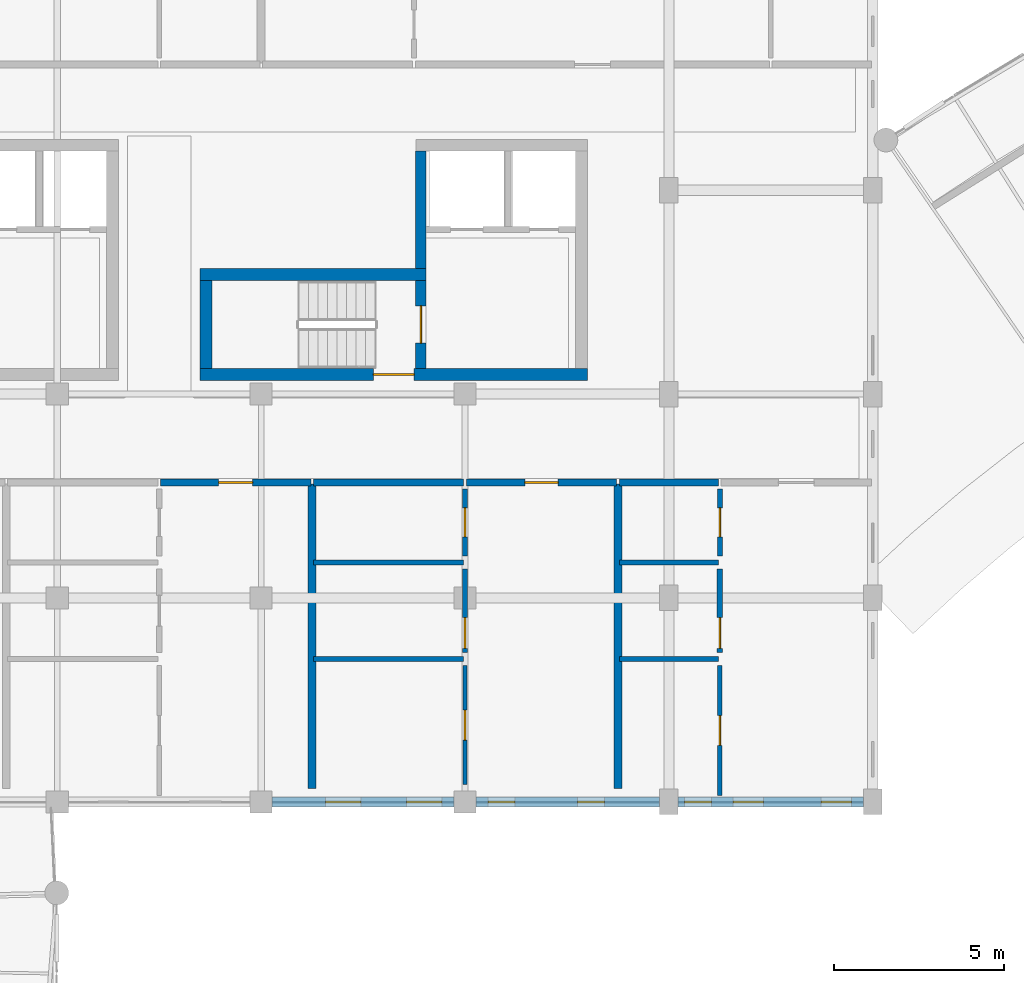
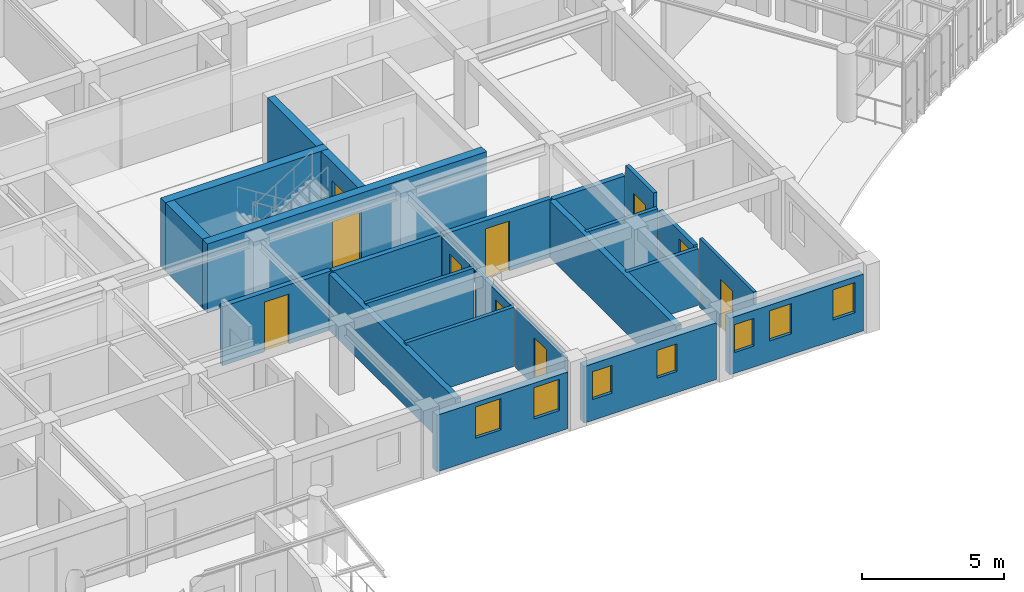
# One storey, part 70 of 100: 24 walls, 10 doors, 7 windows, 17 openings.
"""IFC4 building model written with IfcOpenShell, lengths in metres."""

import ifcopenshell
import ifcopenshell.guid

model = None  # the IFC model being written
_history = None  # IfcOwnerHistory: only IFC2X3 demands one
_inside = {}  # id of a spatial element -> (the spatial element, [elements in it])
_under = {}  # id of a project, library or spatial element -> (it, [spatial elements below it])
_declared = {}  # id of a project -> (the project, [libraries it declares])
_typed = {}  # id of a type object -> (the type object, [elements of that type])
_made_of = {}  # id of a material, layer set ... -> (it, [elements and type objects made of it])


def new_model(schema):
    """Start an empty IFC model of exactly this schema.

    Asked for "IFC4X3", IfcOpenShell would pick the latest addendum, in which some entities
    have other attributes; the version numbers below select the first issue.
    IFC2X3 requires an IfcOwnerHistory on every rooted entity: one is made here for all.
    """
    global model, _history
    if schema == "IFC4X3":
        model = ifcopenshell.file(schema_version=(4, 3, 0, 0))
    else:
        model = ifcopenshell.file(schema=schema)
    _inside.clear()
    _under.clear()
    _declared.clear()
    _typed.clear()
    _made_of.clear()
    _history = None
    if model.schema == "IFC2X3":
        org = make("IfcOrganization", Name="unknown")
        user = make(
            "IfcPersonAndOrganization",
            ThePerson=make("IfcPerson", FamilyName="unknown"),
            TheOrganization=org,
        )
        app = make(
            "IfcApplication",
            ApplicationDeveloper=org,
            Version="unknown",
            ApplicationFullName="unknown",
            ApplicationIdentifier="unknown",
        )
        _history = make(
            "IfcOwnerHistory",
            OwningUser=user,
            OwningApplication=app,
            ChangeAction="ADDED",
            CreationDate=0,
        )
    return model


def make(cls, **values):
    """One entity of the class cls with the attributes given. An attribute that is None is left unset."""
    return model.create_entity(
        cls, **{name: value for name, value in values.items() if value is not None}
    )


def rooted(cls, **values):
    """An entity with a GlobalId (a new one), such as an element, a storey or a relation."""
    return make(cls, GlobalId=ifcopenshell.guid.new(), OwnerHistory=_history, **values)


def si_unit(unit_type, name, prefix=None):
    """IfcSIUnit, for example si_unit("LENGTHUNIT", "METRE", prefix="MILLI")."""
    return make("IfcSIUnit", UnitType=unit_type, Prefix=prefix, Name=name)


def assignment(units):
    """IfcUnitAssignment: the units of a project."""
    return None if units is None else make("IfcUnitAssignment", Units=units)


def point(xyz):
    """IfcCartesianPoint."""
    return None if xyz is None else make("IfcCartesianPoint", Coordinates=xyz)


def direction(xyz):
    """IfcDirection."""
    return None if xyz is None else make("IfcDirection", DirectionRatios=xyz)


def frame(location, z_axis=None, x_axis=None):
    """IfcAxis2Placement3D, a coordinate frame: its origin and axes. An axis left out is left unset."""
    return make(
        "IfcAxis2Placement3D",
        Location=point(location),
        Axis=direction(z_axis),
        RefDirection=direction(x_axis),
    )


def frame_2d(location, x_axis=None):
    """IfcAxis2Placement2D, a coordinate frame in the plane: its origin and x axis."""
    return make(
        "IfcAxis2Placement2D", Location=point(location), RefDirection=direction(x_axis)
    )


def origin():
    """The frame at (0, 0, 0) with its axes left unset."""
    return frame((0.0, 0.0, 0.0))


def place(relative_to, where):
    """IfcLocalPlacement: puts the frame where relative to a parent placement (None: the world)."""
    return make(
        "IfcLocalPlacement", PlacementRelTo=relative_to, RelativePlacement=where
    )


def context(
    kind, dimensions, precision=None, world=None, true_north=None, identifier=None
):
    """IfcGeometricRepresentationContext, for example the 3D "Model" context."""
    return make(
        "IfcGeometricRepresentationContext",
        ContextIdentifier=identifier,
        ContextType=kind,
        CoordinateSpaceDimension=dimensions,
        Precision=precision,
        WorldCoordinateSystem=world,
        TrueNorth=true_north,
    )


def subcontext(parent, identifier, kind, view, scale=None):
    """IfcGeometricRepresentationSubContext, for example "Body" below "Model"."""
    return make(
        "IfcGeometricRepresentationSubContext",
        ContextIdentifier=identifier,
        ContextType=kind,
        ParentContext=parent,
        TargetScale=scale,
        TargetView=view,
    )


def project(units=None, contexts=None):
    """IfcProject with its units and contexts."""
    return rooted(
        "IfcProject",
        Name="project",
        RepresentationContexts=contexts,
        UnitsInContext=assignment(units),
    )


def spatial(cls, under=None, at=None, **own):
    """A site, building, storey or space (cls), placed at a placement, below another one or the project."""
    s = rooted(cls, ObjectPlacement=at, **own)
    if under is not None:
        _under.setdefault(under.id(), (under, []))[1].append(s)
    return s


def profile(cls, at=None, kind="AREA", **sizes):
    """A parametric profile (cls). Its sizes go by their IFC names, for example OverallWidth=200.0."""
    return make(cls, ProfileType=kind, Position=at, **sizes)


def rectangle(**sizes):
    """IfcRectangleProfileDef."""
    return profile("IfcRectangleProfileDef", **sizes)


def extrude(swept, where, along, depth):
    """IfcExtrudedAreaSolid: the profile swept, set in the frame where, extruded along a direction by depth."""
    return make(
        "IfcExtrudedAreaSolid",
        SweptArea=swept,
        Position=where,
        ExtrudedDirection=direction(along),
        Depth=depth,
    )


def shape(context_of_items, identifier, shape_type, items):
    """IfcShapeRepresentation: the items that make up one representation, for example the "Body"."""
    return make(
        "IfcShapeRepresentation",
        ContextOfItems=context_of_items,
        RepresentationIdentifier=identifier,
        RepresentationType=shape_type,
        Items=items,
    )


def material(Name=None, Category=None):
    """IfcMaterial."""
    return make("IfcMaterial", Name=Name, Category=Category)


def layer(
    of_material, thickness, ventilated=None, Name=None, Category=None, Priority=None
):
    """IfcMaterialLayer: one layer of a wall or slab, of a material (None: an air gap)."""
    return make(
        "IfcMaterialLayer",
        Material=of_material,
        LayerThickness=thickness,
        IsVentilated=ventilated,
        Name=Name,
        Category=Category,
        Priority=Priority,
    )


def layer_set(layers, Name=None):
    """IfcMaterialLayerSet."""
    return make("IfcMaterialLayerSet", MaterialLayers=layers, LayerSetName=Name)


def made_of(thing, what):
    """Note that an element or type object is made of a material, layer set ...; save() writes the relation."""
    if what is not None:
        _made_of.setdefault(what.id(), (what, []))[1].append(thing)
    return thing


def type_object(cls, material=None, **own):
    """A type object (cls), such as IfcWallType, which elements share."""
    return made_of(rooted(cls, **own), material)


def element(
    cls,
    number,
    at=None,
    inside=None,
    cuts=None,
    type_object=None,
    material=None,
    context=None,
    identifier="Body",
    shape_type=None,
    held_by="IfcProductDefinitionShape",
    body=None,
    shapes=None,
    **own,
):
    """One element of the class cls, such as IfcWall. Its Tag is "e" and its number.

    at: its placement. inside: the storey or other place that contains it. cuts: it is an
    opening in that element (IfcRelVoidsElement). A single representation is given by context,
    identifier, shape_type and body (its items); several are given by shapes. held_by: the class
    of the entity that holds the representations. save() writes the other relations.
    """
    e = rooted(cls, Tag="e%d" % number, ObjectPlacement=at, **own)
    if body is not None:
        shapes = [shape(context, identifier, shape_type, body)]
    if shapes is not None:
        e.Representation = make(held_by, Representations=shapes)
    if inside is not None:
        _inside.setdefault(inside.id(), (inside, []))[1].append(e)
    if cuts is not None:
        rooted(
            "IfcRelVoidsElement", RelatingBuildingElement=cuts, RelatedOpeningElement=e
        )
    if type_object is not None:
        _typed.setdefault(type_object.id(), (type_object, []))[1].append(e)
    return made_of(e, material)


def fill(opening, filler):
    """IfcRelFillsElement: the door or window that sits in an opening."""
    return rooted(
        "IfcRelFillsElement",
        RelatingOpeningElement=opening,
        RelatedBuildingElement=filler,
    )


def aggregate(whole, parts):
    """IfcRelAggregates: a whole, such as a stair, and the parts it consists of."""
    return rooted("IfcRelAggregates", RelatingObject=whole, RelatedObjects=parts)


def save(model, path):
    """Write the relations noted so far, then the file.

    IfcRelAggregates (storeys below a building ...), IfcRelContainedInSpatialStructure (elements
    in a storey), IfcRelDefinesByType, IfcRelAssociatesMaterial and IfcRelDeclares: one each for
    every whole, place, type object, material and project.
    """
    for whole, parts in _under.values():
        aggregate(whole, parts)
    for where, things in _inside.values():
        rooted(
            "IfcRelContainedInSpatialStructure",
            RelatedElements=things,
            RelatingStructure=where,
        )
    for kind, things in _typed.values():
        rooted("IfcRelDefinesByType", RelatedObjects=things, RelatingType=kind)
    for what, things in _made_of.values():
        rooted("IfcRelAssociatesMaterial", RelatedObjects=things, RelatingMaterial=what)
    for by, libraries in _declared.values():
        rooted("IfcRelDeclares", RelatingContext=by, RelatedDefinitions=libraries)
    model.write(path)


model = new_model("IFC4")

# Units and contexts
model_context = context("Model", 3, precision=1e-05, world=origin(), true_north=direction((0.0, 1.0)))
body_context = subcontext(model_context, "Body", "Model", "MODEL_VIEW")
ifc_project = project(units=[si_unit("LENGTHUNIT", "METRE"), si_unit("AREAUNIT", "SQUARE_METRE"), si_unit("VOLUMEUNIT", "CUBIC_METRE"), si_unit("PLANEANGLEUNIT", "RADIAN"), si_unit("MASSUNIT", "GRAM", prefix="KILO"), si_unit("POWERUNIT", "WATT"), si_unit("THERMODYNAMICTEMPERATUREUNIT", "KELVIN")], contexts=[model_context])

# Site, building, storey
site_placement = place(None, origin())
site = spatial("IfcSite", under=ifc_project, at=site_placement, CompositionType="ELEMENT")
building_placement = place(site_placement, origin())
building = spatial("IfcBuilding", under=site, at=building_placement, Name="Ruvembo Vaulted Housing Court", CompositionType="ELEMENT")
storey_placement = place(building_placement, frame((0.0, 0.0, 10.89990234375)))
storey = spatial("IfcBuildingStorey", under=building, at=storey_placement, Name="L03", CompositionType="ELEMENT", Elevation=10.89990234375)

# Wall, opening, door
ifc_material_1 = material(Name="Concrete C35/45", Category="concrete")
ifc_layer_1 = layer(ifc_material_1, 0.300048828125, Name="Concrete C35/45")
ifc_layer_set_1 = layer_set([ifc_layer_1], Name="Concrete C35/45")
wall_type_1 = type_object("IfcWallType", Name="WL-CORE-300", PredefinedType="SHEAR", material=ifc_layer_set_1)
wall_1_placement = place(storey_placement, frame((70.699951171875, 90.75, 0.0), z_axis=(0.0, 0.0, 1.0), x_axis=(0.0, 1.0, 0.0)))
wall_1 = element("IfcWall", 1, at=wall_1_placement, inside=storey, type_object=wall_type_1, Name="Core B2 L03 Stair-Lobby Shear Wall", PredefinedType="SHEAR", context=body_context, shape_type="SweptSolid", body=[
    extrude(rectangle(XDim=2.60009765625, YDim=0.300048828125, at=frame_2d((1.300048828125, 0.0))), origin(), (0.0, 0.0, 1.0), 2.960205078125),
])
opening_1_placement = place(wall_1_placement, frame((0.75, 0.0, 0.0)))
opening_1 = element("IfcOpeningElement", 2, at=opening_1_placement, cuts=wall_1, Name="Opening SD2", PredefinedType="OPENING", context=body_context, shape_type="SweptSolid", body=[
    extrude(rectangle(XDim=1.10009765625, YDim=2.14990234375, at=frame_2d((0.550048828125, 1.074951171875))), frame((0.0, 0.159912109375, 0.0), z_axis=(0.0, -1.0, 0.0), x_axis=(1.0, 0.0, 0.0)), (0.0, 0.0, 1.0), 0.320068359375),
])
ifc_material_2 = material(Name="Galvanised Painted Steel", Category="steel")
door_type_1 = type_object("IfcDoorType", Name="DR-STAIR-1100x2150", OperationType="NOTDEFINED", PredefinedType="DOOR", material=ifc_material_2)
door_1_placement = place(opening_1_placement, origin())
door_1 = element("IfcDoor", 3, at=door_1_placement, inside=storey, type_object=door_type_1, Name="Stair ST-B2 L03 Fire Door", OperationType="SINGLE_SWING_LEFT", OverallHeight=2.14990234375, OverallWidth=1.10009765625, PredefinedType="DOOR", context=body_context, shape_type="SweptSolid", body=[
    extrude(rectangle(XDim=1.10009765625, YDim=2.14990234375, at=frame_2d((0.550048828125, 1.074951171875))), frame((0.0, 0.02490234375, 0.0), z_axis=(0.0, -1.0, 0.0), x_axis=(1.0, 0.0, 0.0)), (0.0, 0.0, 1.0), 0.050048828125),
])
fill(opening_1, door_1)

# Wall
wall_2_placement = place(storey_placement, frame((70.699951171875, 93.699951171875, 0.0), z_axis=(0.0, 0.0, 1.0), x_axis=(0.0, 1.0, 0.0)))
element("IfcWall", 4, at=wall_2_placement, inside=storey, type_object=wall_type_1, Name="Core B2 L03 Upper West Shear Wall", PredefinedType="SHEAR", context=body_context, shape_type="SweptSolid", body=[
    extrude(rectangle(XDim=3.449951171875, YDim=0.300048828125, at=frame_2d((1.72509765625, 0.0))), origin(), (0.0, 0.0, 1.0), 2.960205078125),
])

# Wall, opening, door
ifc_layer_2 = layer(ifc_material_1, 0.35009765625, Name="Concrete C35/45")
ifc_layer_set_2 = layer_set([ifc_layer_2], Name="Concrete C35/45")
wall_type_2 = type_object("IfcWallType", Name="WL-CORE-350", PredefinedType="SHEAR", material=ifc_layer_set_2)
wall_3_placement = place(storey_placement, frame((64.199951171875, 90.574951171875, 0.0), z_axis=(0.0, 0.0, 1.0), x_axis=(1.0, 0.0, 0.0)))
wall_3 = element("IfcWall", 5, at=wall_3_placement, inside=storey, type_object=wall_type_2, Name="Core B2 L03 South Shear Wall", PredefinedType="SHEAR", context=body_context, shape_type="SweptSolid", body=[
    extrude(rectangle(XDim=11.400146484375, YDim=0.35009765625, at=frame_2d((5.7001953125, 0.0))), origin(), (0.0, 0.0, 1.0), 2.960205078125),
])
opening_2_placement = place(wall_3_placement, frame((5.10009765625, 0.0, 0.0)))
opening_2 = element("IfcOpeningElement", 6, at=opening_2_placement, cuts=wall_3, Name="Opening LD3", PredefinedType="OPENING", context=body_context, shape_type="SweptSolid", body=[
    extrude(rectangle(XDim=1.199951171875, YDim=2.14990234375, at=frame_2d((0.60009765625, 1.074951171875))), frame((0.0, 0.18505859375, 0.0), z_axis=(0.0, -1.0, 0.0), x_axis=(1.0, 0.0, 0.0)), (0.0, 0.0, 1.0), 0.3701171875),
])
door_type_2 = type_object("IfcDoorType", Name="DR-LOB-1200x2150", OperationType="NOTDEFINED", PredefinedType="DOOR", material=ifc_material_2)
door_2_placement = place(opening_2_placement, origin())
door_2 = element("IfcDoor", 7, at=door_2_placement, inside=storey, type_object=door_type_2, Name="Core B2 L03 Lobby Fire Door", OperationType="SINGLE_SWING_RIGHT", OverallHeight=2.14990234375, OverallWidth=1.199951171875, PredefinedType="DOOR", context=body_context, shape_type="SweptSolid", body=[
    extrude(rectangle(XDim=1.199951171875, YDim=2.14990234375, at=frame_2d((0.60009765625, 1.074951171875))), frame((0.0, 0.02490234375, 0.0), z_axis=(0.0, -1.0, 0.0), x_axis=(1.0, 0.0, 0.0)), (0.0, 0.0, 1.0), 0.050048828125),
])
fill(opening_2, door_2)

# Walls
wall_4_placement = place(storey_placement, frame((70.85009765625, 93.52490234375, 0.0), z_axis=(0.0, 0.0, 1.0), x_axis=(-1.0, 0.0, 0.0)))
element("IfcWall", 8, at=wall_4_placement, inside=storey, type_object=wall_type_2, Name="Core B2 L03 Stair North Shear Wall", PredefinedType="SHEAR", context=body_context, shape_type="SweptSolid", body=[
    extrude(rectangle(XDim=6.650146484375, YDim=0.35009765625, at=frame_2d((3.3251953125, 0.0))), origin(), (0.0, 0.0, 1.0), 2.960205078125),
])
wall_5_placement = place(storey_placement, frame((64.375, 93.35009765625, 0.0), z_axis=(0.0, 0.0, 1.0), x_axis=(0.0, -1.0, 0.0)))
element("IfcWall", 9, at=wall_5_placement, inside=storey, type_object=wall_type_2, Name="Core B2 L03 Stair West Shear Wall", PredefinedType="SHEAR", context=body_context, shape_type="SweptSolid", body=[
    extrude(rectangle(XDim=2.60009765625, YDim=0.35009765625, at=frame_2d((1.300048828125, 0.0))), origin(), (0.0, 0.0, 1.0), 2.960205078125),
])

# Wall, opening, door
ifc_material_3 = material(Name="Concrete Blockwork 200", Category="masonry")
ifc_layer_3 = layer(ifc_material_3, 0.199951171875, Name="Concrete Blockwork 200")
ifc_layer_set_3 = layer_set([ifc_layer_3], Name="Concrete Blockwork 200")
wall_type_3 = type_object("IfcWallType", Name="WL-CORR-200", PredefinedType="SOLIDWALL", material=ifc_layer_set_3)
wall_6_placement = place(storey_placement, frame((63.0400390625, 87.39990234375, 0.0), z_axis=(0.0, 0.0, 1.0), x_axis=(1.0, 0.0, 0.0)))
wall_6 = element("IfcWall", 10, at=wall_6_placement, inside=storey, type_object=wall_type_3, Name="L03 Flat B-L03-S2 Entrance WL-INT-L03-00835", PredefinedType="SOLIDWALL", context=body_context, shape_type="SweptSolid", body=[
    extrude(rectangle(XDim=4.419921875, YDim=0.199951171875, at=frame_2d((2.2099609375, 0.0))), origin(), (0.0, 0.0, 1.0), 2.548095703125),
])
opening_3_placement = place(wall_6_placement, frame((1.7099609375, 0.0, 0.0)))
opening_3 = element("IfcOpeningElement", 11, at=opening_3_placement, cuts=wall_6, Name="Opening FD1", PredefinedType="OPENING", context=body_context, shape_type="SweptSolid", body=[
    extrude(rectangle(XDim=1.0, YDim=2.14990234375, at=frame_2d((0.5, 1.074951171875))), frame((0.0, 0.10986328125, 0.0), z_axis=(0.0, -1.0, 0.0), x_axis=(1.0, 0.0, 0.0)), (0.0, 0.0, 1.0), 0.219970703125),
])
ifc_material_4 = material(Name="FSC Hardwood and Engineered Timber", Category="wood")
door_type_3 = type_object("IfcDoorType", Name="DR-FLAT-1000x2150", OperationType="NOTDEFINED", PredefinedType="DOOR", material=ifc_material_4)
door_3_placement = place(opening_3_placement, origin())
door_3 = element("IfcDoor", 12, at=door_3_placement, inside=storey, type_object=door_type_3, Name="L03 Flat B-L03-S2 Entrance Door DR-INT-L03-00462", OperationType="SINGLE_SWING_RIGHT", OverallHeight=2.14990234375, OverallWidth=1.0, PredefinedType="DOOR", context=body_context, shape_type="SweptSolid", body=[
    extrude(rectangle(XDim=1.0, YDim=2.14990234375, at=frame_2d((0.5, 1.074951171875))), frame((0.0, 0.02490234375, 0.0), z_axis=(0.0, -1.0, 0.0), x_axis=(1.0, 0.0, 0.0)), (0.0, 0.0, 1.0), 0.050048828125),
])
fill(opening_3, door_3)

# Wall
wall_7_placement = place(storey_placement, frame((67.5400390625, 87.39990234375, 0.0), z_axis=(0.0, 0.0, 1.0), x_axis=(1.0, 0.0, 0.0)))
element("IfcWall", 13, at=wall_7_placement, inside=storey, type_object=wall_type_3, Name="L03 Flat B-L03-S3 Corridor Wall WL-INT-L03-00842", PredefinedType="SOLIDWALL", context=body_context, shape_type="SweptSolid", body=[
    extrude(rectangle(XDim=4.419921875, YDim=0.199951171875, at=frame_2d((2.2099609375, 0.0))), origin(), (0.0, 0.0, 1.0), 2.508056640625),
])

# Wall, opening, door
wall_8_placement = place(storey_placement, frame((72.0400390625, 87.39990234375, 0.0), z_axis=(0.0, 0.0, 1.0), x_axis=(1.0, 0.0, 0.0)))
wall_8 = element("IfcWall", 14, at=wall_8_placement, inside=storey, type_object=wall_type_3, Name="L03 Flat B-L03-S3 Entrance WL-INT-L03-00843", PredefinedType="SOLIDWALL", context=body_context, shape_type="SweptSolid", body=[
    extrude(rectangle(XDim=4.419921875, YDim=0.199951171875, at=frame_2d((2.2099609375, 0.0))), origin(), (0.0, 0.0, 1.0), 2.508056640625),
])
opening_4_placement = place(wall_8_placement, frame((1.719970703125, 0.0, 0.0)))
opening_4 = element("IfcOpeningElement", 15, at=opening_4_placement, cuts=wall_8, Name="Opening FD2", PredefinedType="OPENING", context=body_context, shape_type="SweptSolid", body=[
    extrude(rectangle(XDim=0.97998046875, YDim=2.14990234375, at=frame_2d((0.489990234375, 1.074951171875))), frame((0.0, 0.10986328125, 0.0), z_axis=(0.0, -1.0, 0.0), x_axis=(1.0, 0.0, 0.0)), (0.0, 0.0, 1.0), 0.219970703125),
])
door_type_4 = type_object("IfcDoorType", Name="DR-FLAT-0980x2150", OperationType="NOTDEFINED", PredefinedType="DOOR", material=ifc_material_4)
door_4_placement = place(opening_4_placement, origin())
door_4 = element("IfcDoor", 16, at=door_4_placement, inside=storey, type_object=door_type_4, Name="L03 Flat B-L03-S3 Entrance Door DR-INT-L03-00466", OperationType="SINGLE_SWING_RIGHT", OverallHeight=2.14990234375, OverallWidth=0.97998046875, PredefinedType="DOOR", context=body_context, shape_type="SweptSolid", body=[
    extrude(rectangle(XDim=0.97998046875, YDim=2.14990234375, at=frame_2d((0.489990234375, 1.074951171875))), frame((0.0, 0.02490234375, 0.0), z_axis=(0.0, -1.0, 0.0), x_axis=(1.0, 0.0, 0.0)), (0.0, 0.0, 1.0), 0.050048828125),
])
fill(opening_4, door_4)

# Walls
wall_9_placement = place(storey_placement, frame((76.5400390625, 87.39990234375, 0.0), z_axis=(0.0, 0.0, 1.0), x_axis=(1.0, 0.0, 0.0)))
element("IfcWall", 17, at=wall_9_placement, inside=storey, type_object=wall_type_3, Name="L03 Flat B-L03-S4 Corridor Wall WL-INT-L03-00849", PredefinedType="SOLIDWALL", context=body_context, shape_type="SweptSolid", body=[
    extrude(rectangle(XDim=2.919921875, YDim=0.199951171875, at=frame_2d((1.4599609375, 0.0))), origin(), (0.0, 0.0, 1.0), 2.442138671875),
])
ifc_material_5 = material(Name="Acoustic Masonry Demising 230", Category="masonry")
ifc_layer_4 = layer(ifc_material_5, 0.22998046875, Name="Acoustic Masonry Demising 230")
ifc_layer_set_4 = layer_set([ifc_layer_4], Name="Acoustic Masonry Demising 230")
wall_type_4 = type_object("IfcWallType", Name="WL-DEM-230", PredefinedType="SOLIDWALL", material=ifc_layer_set_4)
for number, where, z_axis, x_axis, name in (
    (18, (67.5, 78.389892578125, 0.0), (0.0, 0.0, 1.0), (0.0, 1.0, 0.0), "L03 Demising B-L03-S2 WL-INT-L03-00833"),
    (19, (76.5, 78.389892578125, 0.0), (0.0, 0.0, 1.0), (0.0, 1.0, 0.0), "L03 Demising B-L03-S3 WL-INT-L03-00841"),
):
    element("IfcWall", number, at=place(storey_placement, frame(where, z_axis=z_axis, x_axis=x_axis)), inside=storey, type_object=wall_type_4, Name=name, PredefinedType="SOLIDWALL", context=body_context, shape_type="SweptSolid", body=[
        extrude(rectangle(XDim=8.97021484375, YDim=0.22998046875, at=frame_2d((4.485107421875, 0.0))), origin(), (0.0, 0.0, 1.0), 2.442138671875),
    ])

# Wall, openings, windows
ifc_material_6 = material(Name="Rendered Masonry 300", Category="masonry")
ifc_layer_5 = layer(ifc_material_6, 0.300048828125, Name="Rendered Masonry 300")
ifc_layer_set_5 = layer_set([ifc_layer_5], Name="Rendered Masonry 300")
wall_type_5 = type_object("IfcWallType", Name="WL-EXT-300", PredefinedType="STANDARD", material=ifc_layer_set_5)
wall_10_placement = place(storey_placement, frame((66.324951171875, 78.0, 0.0), z_axis=(0.0, 0.0, 1.0), x_axis=(1.0, 0.0, 0.0)))
wall_10 = element("IfcWall", 20, at=wall_10_placement, inside=storey, type_object=wall_type_5, Name="Block B L03 Exterior Wall COURTYARD #4", PredefinedType="STANDARD", context=body_context, shape_type="SweptSolid", body=[
    extrude(rectangle(XDim=5.35009765625, YDim=0.300048828125, at=frame_2d((2.675048828125, 0.0))), origin(), (0.0, 0.0, 1.0), 2.442138671875),
])
opening_5_placement = place(wall_10_placement, frame((1.56494140625, 0.0, 0.89990234375)))
opening_5 = element("IfcOpeningElement", 21, at=opening_5_placement, cuts=wall_10, Name="Opening W09", PredefinedType="OPENING", context=body_context, shape_type="SweptSolid", body=[
    extrude(rectangle(XDim=1.050048828125, YDim=1.35009765625, at=frame_2d((0.52490234375, 0.675048828125))), frame((0.0, 0.159912109375, 0.0), z_axis=(0.0, -1.0, 0.0), x_axis=(1.0, 0.0, 0.0)), (0.0, 0.0, 1.0), 0.320068359375),
])
opening_6_placement = place(wall_10_placement, frame((3.949951171875, 0.0, 0.89990234375)))
opening_6 = element("IfcOpeningElement", 22, at=opening_6_placement, cuts=wall_10, Name="Opening W09", PredefinedType="OPENING", context=body_context, shape_type="SweptSolid", body=[
    extrude(rectangle(XDim=1.050048828125, YDim=1.35009765625, at=frame_2d((0.52490234375, 0.675048828125))), frame((0.0, 0.159912109375, 0.0), z_axis=(0.0, -1.0, 0.0), x_axis=(1.0, 0.0, 0.0)), (0.0, 0.0, 1.0), 0.320068359375),
])
ifc_material_7 = material(Name="Double Solar-Control Glazing in Aluminium Frame", Category="aluminium")
window_type_1 = type_object("IfcWindowType", Name="WIN-1050x1350", PartitioningType="SINGLE_PANEL", PredefinedType="WINDOW", material=ifc_material_7)
window_1_placement = place(opening_5_placement, origin())
window_1 = element("IfcWindow", 23, at=window_1_placement, inside=storey, type_object=window_type_1, Name="Block B L03 Window #730", OverallHeight=1.35009765625, OverallWidth=1.050048828125, PartitioningType="SINGLE_PANEL", PredefinedType="WINDOW", context=body_context, shape_type="SweptSolid", body=[
    extrude(rectangle(XDim=1.050048828125, YDim=1.35009765625, at=frame_2d((0.52490234375, 0.675048828125))), frame((0.0, 0.030029296875, 0.0), z_axis=(0.0, -1.0, 0.0), x_axis=(1.0, 0.0, 0.0)), (0.0, 0.0, 1.0), 0.06005859375),
])
fill(opening_5, window_1)
window_2_placement = place(opening_6_placement, origin())
window_2 = element("IfcWindow", 24, at=window_2_placement, inside=storey, type_object=window_type_1, Name="Block B L03 Window #731", OverallHeight=1.35009765625, OverallWidth=1.050048828125, PartitioningType="SINGLE_PANEL", PredefinedType="WINDOW", context=body_context, shape_type="SweptSolid", body=[
    extrude(rectangle(XDim=1.050048828125, YDim=1.35009765625, at=frame_2d((0.52490234375, 0.675048828125))), frame((0.0, 0.030029296875, 0.0), z_axis=(0.0, -1.0, 0.0), x_axis=(1.0, 0.0, 0.0)), (0.0, 0.0, 1.0), 0.06005859375),
])
fill(opening_6, window_2)

wall_11_placement = place(storey_placement, frame((72.324951171875, 78.0, 0.0), z_axis=(0.0, 0.0, 1.0), x_axis=(1.0, 0.0, 0.0)))
wall_11 = element("IfcWall", 25, at=wall_11_placement, inside=storey, type_object=wall_type_5, Name="Block B L03 Exterior Wall COURTYARD #5", PredefinedType="STANDARD", context=body_context, shape_type="SweptSolid", body=[
    extrude(rectangle(XDim=5.400146484375, YDim=0.300048828125, at=frame_2d((2.7001953125, 0.0))), origin(), (0.0, 0.0, 1.0), 2.442138671875),
])
opening_7_placement = place(wall_11_placement, frame((0.35009765625, 0.0, 0.89990234375)))
opening_7 = element("IfcOpeningElement", 26, at=opening_7_placement, cuts=wall_11, Name="Opening W02", PredefinedType="OPENING", context=body_context, shape_type="SweptSolid", body=[
    extrude(rectangle(XDim=0.800048828125, YDim=1.199951171875, at=frame_2d((0.39990234375, 0.60009765625))), frame((0.0, 0.159912109375, 0.0), z_axis=(0.0, -1.0, 0.0), x_axis=(1.0, 0.0, 0.0)), (0.0, 0.0, 1.0), 0.320068359375),
])
opening_8_placement = place(wall_11_placement, frame((2.985107421875, 0.0, 0.89990234375)))
opening_8 = element("IfcOpeningElement", 27, at=opening_8_placement, cuts=wall_11, Name="Opening W02", PredefinedType="OPENING", context=body_context, shape_type="SweptSolid", body=[
    extrude(rectangle(XDim=0.800048828125, YDim=1.199951171875, at=frame_2d((0.39990234375, 0.60009765625))), frame((0.0, 0.159912109375, 0.0), z_axis=(0.0, -1.0, 0.0), x_axis=(1.0, 0.0, 0.0)), (0.0, 0.0, 1.0), 0.320068359375),
])
window_type_2 = type_object("IfcWindowType", Name="WIN-0800x1200", PartitioningType="SINGLE_PANEL", PredefinedType="WINDOW", material=ifc_material_7)
window_3_placement = place(opening_7_placement, origin())
window_3 = element("IfcWindow", 28, at=window_3_placement, inside=storey, type_object=window_type_2, Name="Block B L03 Window #732", OverallHeight=1.199951171875, OverallWidth=0.800048828125, PartitioningType="SINGLE_PANEL", PredefinedType="WINDOW", context=body_context, shape_type="SweptSolid", body=[
    extrude(rectangle(XDim=0.800048828125, YDim=1.199951171875, at=frame_2d((0.39990234375, 0.60009765625))), frame((0.0, 0.030029296875, 0.0), z_axis=(0.0, -1.0, 0.0), x_axis=(1.0, 0.0, 0.0)), (0.0, 0.0, 1.0), 0.06005859375),
])
fill(opening_7, window_3)
window_4_placement = place(opening_8_placement, origin())
window_4 = element("IfcWindow", 29, at=window_4_placement, inside=storey, type_object=window_type_2, Name="Block B L03 Window #733", OverallHeight=1.199951171875, OverallWidth=0.800048828125, PartitioningType="SINGLE_PANEL", PredefinedType="WINDOW", context=body_context, shape_type="SweptSolid", body=[
    extrude(rectangle(XDim=0.800048828125, YDim=1.199951171875, at=frame_2d((0.39990234375, 0.60009765625))), frame((0.0, 0.030029296875, 0.0), z_axis=(0.0, -1.0, 0.0), x_axis=(1.0, 0.0, 0.0)), (0.0, 0.0, 1.0), 0.06005859375),
])
fill(opening_8, window_4)

wall_12_placement = place(storey_placement, frame((78.27490234375, 78.0, 0.0), z_axis=(0.0, 0.0, 1.0), x_axis=(1.0, 0.0, 0.0)))
wall_12 = element("IfcWall", 30, at=wall_12_placement, inside=storey, type_object=wall_type_5, Name="Block B L03 Exterior Wall COURTYARD #6", PredefinedType="STANDARD", context=body_context, shape_type="SweptSolid", body=[
    extrude(rectangle(XDim=5.4501953125, YDim=0.300048828125, at=frame_2d((2.72509765625, 0.0))), origin(), (0.0, 0.0, 1.0), 2.442138671875),
])
opening_9_placement = place(wall_12_placement, frame((1.614990234375, 0.0, 0.89990234375)))
opening_9 = element("IfcOpeningElement", 31, at=opening_9_placement, cuts=wall_12, Name="Opening W04", PredefinedType="OPENING", context=body_context, shape_type="SweptSolid", body=[
    extrude(rectangle(XDim=0.89990234375, YDim=1.300048828125, at=frame_2d((0.449951171875, 0.64990234375))), frame((0.0, 0.159912109375, 0.0), z_axis=(0.0, -1.0, 0.0), x_axis=(1.0, 0.0, 0.0)), (0.0, 0.0, 1.0), 0.320068359375),
])
opening_10_placement = place(wall_12_placement, frame((4.199951171875, 0.0, 0.89990234375)))
opening_10 = element("IfcOpeningElement", 32, at=opening_10_placement, cuts=wall_12, Name="Opening W04", PredefinedType="OPENING", context=body_context, shape_type="SweptSolid", body=[
    extrude(rectangle(XDim=0.89990234375, YDim=1.300048828125, at=frame_2d((0.449951171875, 0.64990234375))), frame((0.0, 0.159912109375, 0.0), z_axis=(0.0, -1.0, 0.0), x_axis=(1.0, 0.0, 0.0)), (0.0, 0.0, 1.0), 0.320068359375),
])
opening_11_placement = place(wall_12_placement, frame((0.18115234375, 0.0, 0.89990234375)))
opening_11 = element("IfcOpeningElement", 33, at=opening_11_placement, cuts=wall_12, Name="Opening W02", PredefinedType="OPENING", context=body_context, shape_type="SweptSolid", body=[
    extrude(rectangle(XDim=0.800048828125, YDim=1.199951171875, at=frame_2d((0.39990234375, 0.60009765625))), frame((0.0, 0.159912109375, 0.0), z_axis=(0.0, -1.0, 0.0), x_axis=(1.0, 0.0, 0.0)), (0.0, 0.0, 1.0), 0.320068359375),
])
window_5_placement = place(opening_11_placement, origin())
window_5 = element("IfcWindow", 34, at=window_5_placement, inside=storey, type_object=window_type_2, Name="Block B L03 Window #2074", OverallHeight=1.199951171875, OverallWidth=0.800048828125, PartitioningType="SINGLE_PANEL", PredefinedType="WINDOW", context=body_context, shape_type="SweptSolid", body=[
    extrude(rectangle(XDim=0.800048828125, YDim=1.199951171875, at=frame_2d((0.39990234375, 0.60009765625))), frame((0.0, 0.030029296875, 0.0), z_axis=(0.0, -1.0, 0.0), x_axis=(1.0, 0.0, 0.0)), (0.0, 0.0, 1.0), 0.06005859375),
])
fill(opening_11, window_5)
window_type_3 = type_object("IfcWindowType", Name="WIN-0900x1300", PartitioningType="SINGLE_PANEL", PredefinedType="WINDOW", material=ifc_material_7)
window_6_placement = place(opening_9_placement, origin())
window_6 = element("IfcWindow", 35, at=window_6_placement, inside=storey, type_object=window_type_3, Name="Block B L03 Window #734", OverallHeight=1.300048828125, OverallWidth=0.89990234375, PartitioningType="SINGLE_PANEL", PredefinedType="WINDOW", context=body_context, shape_type="SweptSolid", body=[
    extrude(rectangle(XDim=0.89990234375, YDim=1.300048828125, at=frame_2d((0.449951171875, 0.64990234375))), frame((0.0, 0.030029296875, 0.0), z_axis=(0.0, -1.0, 0.0), x_axis=(1.0, 0.0, 0.0)), (0.0, 0.0, 1.0), 0.06005859375),
])
fill(opening_9, window_6)
window_7_placement = place(opening_10_placement, origin())
window_7 = element("IfcWindow", 36, at=window_7_placement, inside=storey, type_object=window_type_3, Name="Block B L03 Window #735", OverallHeight=1.300048828125, OverallWidth=0.89990234375, PartitioningType="SINGLE_PANEL", PredefinedType="WINDOW", context=body_context, shape_type="SweptSolid", body=[
    extrude(rectangle(XDim=0.89990234375, YDim=1.300048828125, at=frame_2d((0.449951171875, 0.64990234375))), frame((0.0, 0.030029296875, 0.0), z_axis=(0.0, -1.0, 0.0), x_axis=(1.0, 0.0, 0.0)), (0.0, 0.0, 1.0), 0.06005859375),
])
fill(opening_10, window_7)

# Wall, opening, door
ifc_material_8 = material(Name="Plasterboard Stud Partition 125", Category="gypsum")
ifc_layer_6 = layer(ifc_material_8, 0.125, Name="Plasterboard Stud Partition 125")
ifc_layer_set_6 = layer_set([ifc_layer_6], Name="Plasterboard Stud Partition 125")
wall_type_6 = type_object("IfcWallType", Name="WL-PART-125", PredefinedType="PARTITIONING", material=ifc_layer_set_6)
wall_13_placement = place(storey_placement, frame((72.0, 78.510009765625, 0.0), z_axis=(0.0, 0.0, 1.0), x_axis=(0.0, 1.0, 0.0)))
wall_13 = element("IfcWall", 37, at=wall_13_placement, inside=storey, type_object=wall_type_6, Name="L03 Flat B-L03-S3 Bedroom 1 WL-INT-L03-00844", PredefinedType="PARTITIONING", context=body_context, shape_type="SweptSolid", body=[
    extrude(rectangle(XDim=3.5, YDim=0.125, at=frame_2d((1.75, 0.0))), origin(), (0.0, 0.0, 1.0), 2.548095703125),
])
opening_12_placement = place(wall_13_placement, frame((1.31005859375, 0.0, 0.0)))
opening_12 = element("IfcOpeningElement", 38, at=opening_12_placement, cuts=wall_13, Name="Opening ID3", PredefinedType="OPENING", context=body_context, shape_type="SweptSolid", body=[
    extrude(rectangle(XDim=0.8798828125, YDim=2.10009765625, at=frame_2d((0.43994140625, 1.050048828125))), frame((0.0, 0.072509765625, 0.0), z_axis=(0.0, -1.0, 0.0), x_axis=(1.0, 0.0, 0.0)), (0.0, 0.0, 1.0), 0.14501953125),
])
door_type_5 = type_object("IfcDoorType", Name="DR-ROOM-0880x2100", OperationType="NOTDEFINED", PredefinedType="DOOR", material=ifc_material_4)
door_5_placement = place(opening_12_placement, origin())
door_5 = element("IfcDoor", 39, at=door_5_placement, inside=storey, type_object=door_type_5, Name="L03 Flat B-L03-S3 Bedroom 1 Door DR-INT-L03-00467", OperationType="SINGLE_SWING_LEFT", OverallHeight=2.10009765625, OverallWidth=0.8798828125, PredefinedType="DOOR", context=body_context, shape_type="SweptSolid", body=[
    extrude(rectangle(XDim=0.8798828125, YDim=2.10009765625, at=frame_2d((0.43994140625, 1.050048828125))), frame((0.0, 0.02490234375, 0.0), z_axis=(0.0, -1.0, 0.0), x_axis=(1.0, 0.0, 0.0)), (0.0, 0.0, 1.0), 0.050048828125),
])
fill(opening_12, door_5)

wall_14_placement = place(storey_placement, frame((79.5, 78.18994140625, 0.0), z_axis=(0.0, 0.0, 1.0), x_axis=(0.0, 1.0, 0.0)))
wall_14 = element("IfcWall", 40, at=wall_14_placement, inside=storey, type_object=wall_type_6, Name="L03 Flat B-L03-S4 Bedroom 1 WL-INT-L03-00851", PredefinedType="PARTITIONING", context=body_context, shape_type="SweptSolid", body=[
    extrude(rectangle(XDim=3.820068359375, YDim=0.125, at=frame_2d((1.91015625, 0.0))), origin(), (0.0, 0.0, 1.0), 2.960205078125),
])
opening_13_placement = place(wall_14_placement, frame((1.469970703125, 0.0, 0.0)))
opening_13 = element("IfcOpeningElement", 41, at=opening_13_placement, cuts=wall_14, Name="Opening ID3", PredefinedType="OPENING", context=body_context, shape_type="SweptSolid", body=[
    extrude(rectangle(XDim=0.8798828125, YDim=2.10009765625, at=frame_2d((0.43994140625, 1.050048828125))), frame((0.0, 0.072509765625, 0.0), z_axis=(0.0, -1.0, 0.0), x_axis=(1.0, 0.0, 0.0)), (0.0, 0.0, 1.0), 0.14501953125),
])
door_6_placement = place(opening_13_placement, origin())
door_6 = element("IfcDoor", 42, at=door_6_placement, inside=storey, type_object=door_type_5, Name="L03 Flat B-L03-S4 Bedroom 1 Door DR-INT-L03-00471", OperationType="SINGLE_SWING_LEFT", OverallHeight=2.10009765625, OverallWidth=0.8798828125, PredefinedType="DOOR", context=body_context, shape_type="SweptSolid", body=[
    extrude(rectangle(XDim=0.8798828125, YDim=2.10009765625, at=frame_2d((0.43994140625, 1.050048828125))), frame((0.0, 0.02490234375, 0.0), z_axis=(0.0, -1.0, 0.0), x_axis=(1.0, 0.0, 0.0)), (0.0, 0.0, 1.0), 0.050048828125),
])
fill(opening_13, door_6)

ifc_material_9 = material(Name="Moisture-Resistant Wet Partition 150", Category="gypsum")
ifc_layer_7 = layer(ifc_material_9, 0.14990234375, Name="Moisture-Resistant Wet Partition 150")
ifc_layer_set_7 = layer_set([ifc_layer_7], Name="Moisture-Resistant Wet Partition 150")
wall_type_7 = type_object("IfcWallType", Name="WL-PART-150", PredefinedType="PARTITIONING", material=ifc_layer_set_7)
wall_15_placement = place(storey_placement, frame((72.0, 85.239990234375, 0.0), z_axis=(0.0, 0.0, 1.0), x_axis=(0.0, 1.0, 0.0)))
wall_15 = element("IfcWall", 43, at=wall_15_placement, inside=storey, type_object=wall_type_7, Name="L03 Flat B-L03-S3 Bathroom WL-INT-L03-00846", PredefinedType="PARTITIONING", context=body_context, shape_type="SweptSolid", body=[
    extrude(rectangle(XDim=1.969970703125, YDim=0.14990234375, at=frame_2d((0.98486328125, 0.0))), origin(), (0.0, 0.0, 1.0), 2.508056640625),
])
opening_14_placement = place(wall_15_placement, frame((0.56005859375, 0.0, 0.0)))
opening_14 = element("IfcOpeningElement", 44, at=opening_14_placement, cuts=wall_15, Name="Opening ID2", PredefinedType="OPENING", context=body_context, shape_type="SweptSolid", body=[
    extrude(rectangle(XDim=0.85009765625, YDim=2.10009765625, at=frame_2d((0.425048828125, 1.050048828125))), frame((0.0, 0.0849609375, 0.0), z_axis=(0.0, -1.0, 0.0), x_axis=(1.0, 0.0, 0.0)), (0.0, 0.0, 1.0), 0.169921875),
])
door_type_6 = type_object("IfcDoorType", Name="DR-WET-0850x2100", OperationType="NOTDEFINED", PredefinedType="DOOR", material=ifc_material_4)
door_7_placement = place(opening_14_placement, origin())
door_7 = element("IfcDoor", 45, at=door_7_placement, inside=storey, type_object=door_type_6, Name="L03 Flat B-L03-S3 Bathroom Door DR-INT-L03-00469", OperationType="SINGLE_SWING_LEFT", OverallHeight=2.10009765625, OverallWidth=0.85009765625, PredefinedType="DOOR", context=body_context, shape_type="SweptSolid", body=[
    extrude(rectangle(XDim=0.85009765625, YDim=2.10009765625, at=frame_2d((0.425048828125, 1.050048828125))), frame((0.0, 0.02490234375, 0.0), z_axis=(0.0, -1.0, 0.0), x_axis=(1.0, 0.0, 0.0)), (0.0, 0.0, 1.0), 0.050048828125),
])
fill(opening_14, door_7)

# Walls
wall_16_placement = place(storey_placement, frame((67.5400390625, 82.199951171875, 0.0), z_axis=(0.0, 0.0, 1.0), x_axis=(1.0, 0.0, 0.0)))
element("IfcWall", 46, at=wall_16_placement, inside=storey, type_object=wall_type_7, Name="L03 Flat B-L03-S3 Wet Wall 1 WL-INT-L03-00847", PredefinedType="PARTITIONING", context=body_context, shape_type="SweptSolid", body=[
    extrude(rectangle(XDim=4.419921875, YDim=0.14990234375, at=frame_2d((2.2099609375, 0.0))), origin(), (0.0, 0.0, 1.0), 2.548095703125),
])
wall_17_placement = place(storey_placement, frame((67.5400390625, 85.050048828125, 0.0), z_axis=(0.0, 0.0, 1.0), x_axis=(1.0, 0.0, 0.0)))
element("IfcWall", 47, at=wall_17_placement, inside=storey, type_object=wall_type_7, Name="L03 Flat B-L03-S3 Wet Wall 2 WL-INT-L03-00848", PredefinedType="PARTITIONING", context=body_context, shape_type="SweptSolid", body=[
    extrude(rectangle(XDim=4.419921875, YDim=0.14990234375, at=frame_2d((2.2099609375, 0.0))), origin(), (0.0, 0.0, 1.0), 2.508056640625),
])

# Wall, opening, door
wall_18_placement = place(storey_placement, frame((79.5, 85.239990234375, 0.0), z_axis=(0.0, 0.0, 1.0), x_axis=(0.0, 1.0, 0.0)))
wall_18 = element("IfcWall", 48, at=wall_18_placement, inside=storey, type_object=wall_type_7, Name="L03 Flat B-L03-S4 Bathroom WL-INT-L03-00853", PredefinedType="PARTITIONING", context=body_context, shape_type="SweptSolid", body=[
    extrude(rectangle(XDim=1.969970703125, YDim=0.14990234375, at=frame_2d((0.98486328125, 0.0))), origin(), (0.0, 0.0, 1.0), 2.960205078125),
])
opening_15_placement = place(wall_18_placement, frame((0.56005859375, 0.0, 0.0)))
opening_15 = element("IfcOpeningElement", 49, at=opening_15_placement, cuts=wall_18, Name="Opening ID2", PredefinedType="OPENING", context=body_context, shape_type="SweptSolid", body=[
    extrude(rectangle(XDim=0.85009765625, YDim=2.10009765625, at=frame_2d((0.425048828125, 1.050048828125))), frame((0.0, 0.0849609375, 0.0), z_axis=(0.0, -1.0, 0.0), x_axis=(1.0, 0.0, 0.0)), (0.0, 0.0, 1.0), 0.169921875),
])
door_8_placement = place(opening_15_placement, origin())
door_8 = element("IfcDoor", 50, at=door_8_placement, inside=storey, type_object=door_type_6, Name="L03 Flat B-L03-S4 Bathroom Door DR-INT-L03-00473", OperationType="SINGLE_SWING_LEFT", OverallHeight=2.10009765625, OverallWidth=0.85009765625, PredefinedType="DOOR", context=body_context, shape_type="SweptSolid", body=[
    extrude(rectangle(XDim=0.85009765625, YDim=2.10009765625, at=frame_2d((0.425048828125, 1.050048828125))), frame((0.0, 0.02490234375, 0.0), z_axis=(0.0, -1.0, 0.0), x_axis=(1.0, 0.0, 0.0)), (0.0, 0.0, 1.0), 0.050048828125),
])
fill(opening_15, door_8)

# Walls
for number, where, z_axis, x_axis, name in (
    (51, (76.5400390625, 82.199951171875, 0.0), (0.0, 0.0, 1.0), (1.0, 0.0, 0.0), "L03 Flat B-L03-S4 Wet Wall 1 WL-INT-L03-00854"),
    (52, (76.5400390625, 85.050048828125, 0.0), (0.0, 0.0, 1.0), (1.0, 0.0, 0.0), "L03 Flat B-L03-S4 Wet Wall 2 WL-INT-L03-00855"),
):
    element("IfcWall", number, at=place(storey_placement, frame(where, z_axis=z_axis, x_axis=x_axis)), inside=storey, type_object=wall_type_7, Name=name, PredefinedType="PARTITIONING", context=body_context, shape_type="SweptSolid", body=[
        extrude(rectangle(XDim=2.919921875, YDim=0.14990234375, at=frame_2d((1.4599609375, 0.0))), origin(), (0.0, 0.0, 1.0), 2.442138671875),
    ])

# Wall, opening, door
ifc_material_10 = material(Name="Acoustic Service Chase Wall 160", Category="gypsum")
ifc_layer_8 = layer(ifc_material_10, 0.159912109375, Name="Acoustic Service Chase Wall 160")
ifc_layer_set_8 = layer_set([ifc_layer_8], Name="Acoustic Service Chase Wall 160")
wall_type_8 = type_object("IfcWallType", Name="WL-PLUMB-160", PredefinedType="PLUMBINGWALL", material=ifc_layer_set_8)
wall_19_placement = place(storey_placement, frame((72.0, 82.389892578125, 0.0), z_axis=(0.0, 0.0, 1.0), x_axis=(0.0, 1.0, 0.0)))
wall_19 = element("IfcWall", 53, at=wall_19_placement, inside=storey, type_object=wall_type_8, Name="L03 Flat B-L03-S3 Kitchen WL-INT-L03-00845", PredefinedType="PLUMBINGWALL", context=body_context, shape_type="SweptSolid", body=[
    extrude(rectangle(XDim=2.47021484375, YDim=0.159912109375, at=frame_2d((1.235107421875, 0.0))), origin(), (0.0, 0.0, 1.0), 2.508056640625),
])
opening_16_placement = place(wall_19_placement, frame((0.1298828125, 0.0, 0.0)))
opening_16 = element("IfcOpeningElement", 54, at=opening_16_placement, cuts=wall_19, Name="Opening ID1", PredefinedType="OPENING", context=body_context, shape_type="SweptSolid", body=[
    extrude(rectangle(XDim=0.89990234375, YDim=2.10009765625, at=frame_2d((0.449951171875, 1.050048828125))), frame((0.0, 0.08984375, 0.0), z_axis=(0.0, -1.0, 0.0), x_axis=(1.0, 0.0, 0.0)), (0.0, 0.0, 1.0), 0.179931640625),
])
door_type_7 = type_object("IfcDoorType", Name="DR-ROOM-0900x2100", OperationType="NOTDEFINED", PredefinedType="DOOR", material=ifc_material_4)
door_9_placement = place(opening_16_placement, origin())
door_9 = element("IfcDoor", 55, at=door_9_placement, inside=storey, type_object=door_type_7, Name="L03 Flat B-L03-S3 Kitchen Door DR-INT-L03-00468", OperationType="SINGLE_SWING_RIGHT", OverallHeight=2.10009765625, OverallWidth=0.89990234375, PredefinedType="DOOR", context=body_context, shape_type="SweptSolid", body=[
    extrude(rectangle(XDim=0.89990234375, YDim=2.10009765625, at=frame_2d((0.449951171875, 1.050048828125))), frame((0.0, 0.02490234375, 0.0), z_axis=(0.0, -1.0, 0.0), x_axis=(1.0, 0.0, 0.0)), (0.0, 0.0, 1.0), 0.050048828125),
])
fill(opening_16, door_9)

wall_20_placement = place(storey_placement, frame((79.5, 82.389892578125, 0.0), z_axis=(0.0, 0.0, 1.0), x_axis=(0.0, 1.0, 0.0)))
wall_20 = element("IfcWall", 56, at=wall_20_placement, inside=storey, type_object=wall_type_8, Name="L03 Flat B-L03-S4 Kitchen WL-INT-L03-00852", PredefinedType="PLUMBINGWALL", context=body_context, shape_type="SweptSolid", body=[
    extrude(rectangle(XDim=2.47021484375, YDim=0.159912109375, at=frame_2d((1.235107421875, 0.0))), origin(), (0.0, 0.0, 1.0), 2.442138671875),
])
opening_17_placement = place(wall_20_placement, frame((0.1298828125, 0.0, 0.0)))
opening_17 = element("IfcOpeningElement", 57, at=opening_17_placement, cuts=wall_20, Name="Opening ID1", PredefinedType="OPENING", context=body_context, shape_type="SweptSolid", body=[
    extrude(rectangle(XDim=0.89990234375, YDim=2.10009765625, at=frame_2d((0.449951171875, 1.050048828125))), frame((0.0, 0.08984375, 0.0), z_axis=(0.0, -1.0, 0.0), x_axis=(1.0, 0.0, 0.0)), (0.0, 0.0, 1.0), 0.179931640625),
])
door_10_placement = place(opening_17_placement, origin())
door_10 = element("IfcDoor", 58, at=door_10_placement, inside=storey, type_object=door_type_7, Name="L03 Flat B-L03-S4 Kitchen Door DR-INT-L03-00472", OperationType="SINGLE_SWING_RIGHT", OverallHeight=2.10009765625, OverallWidth=0.89990234375, PredefinedType="DOOR", context=body_context, shape_type="SweptSolid", body=[
    extrude(rectangle(XDim=0.89990234375, YDim=2.10009765625, at=frame_2d((0.449951171875, 1.050048828125))), frame((0.0, 0.02490234375, 0.0), z_axis=(0.0, -1.0, 0.0), x_axis=(1.0, 0.0, 0.0)), (0.0, 0.0, 1.0), 0.050048828125),
])
fill(opening_17, door_10)

save(model, "model.ifc")
